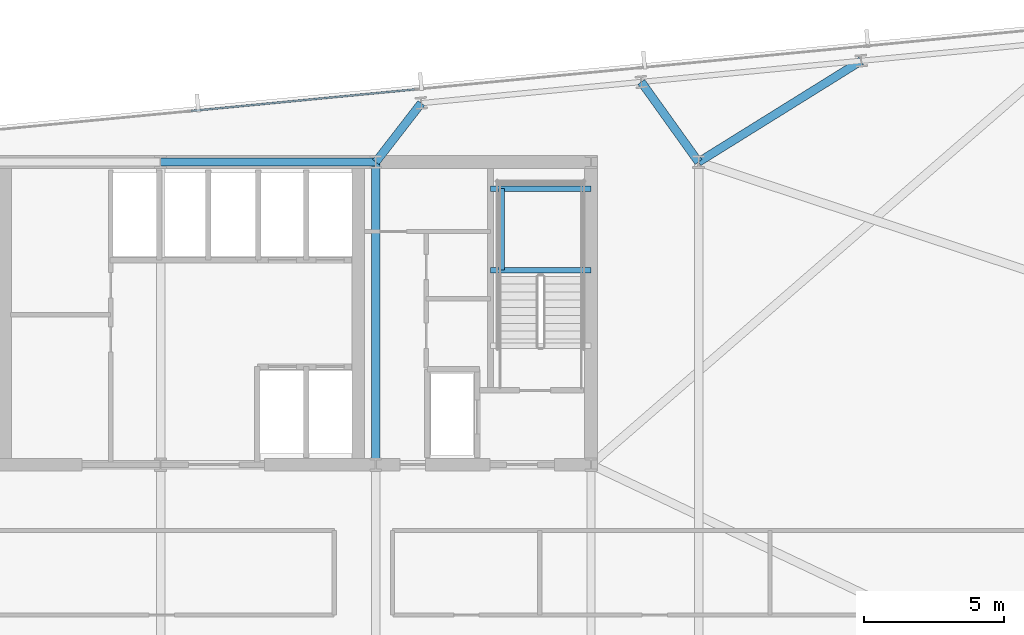
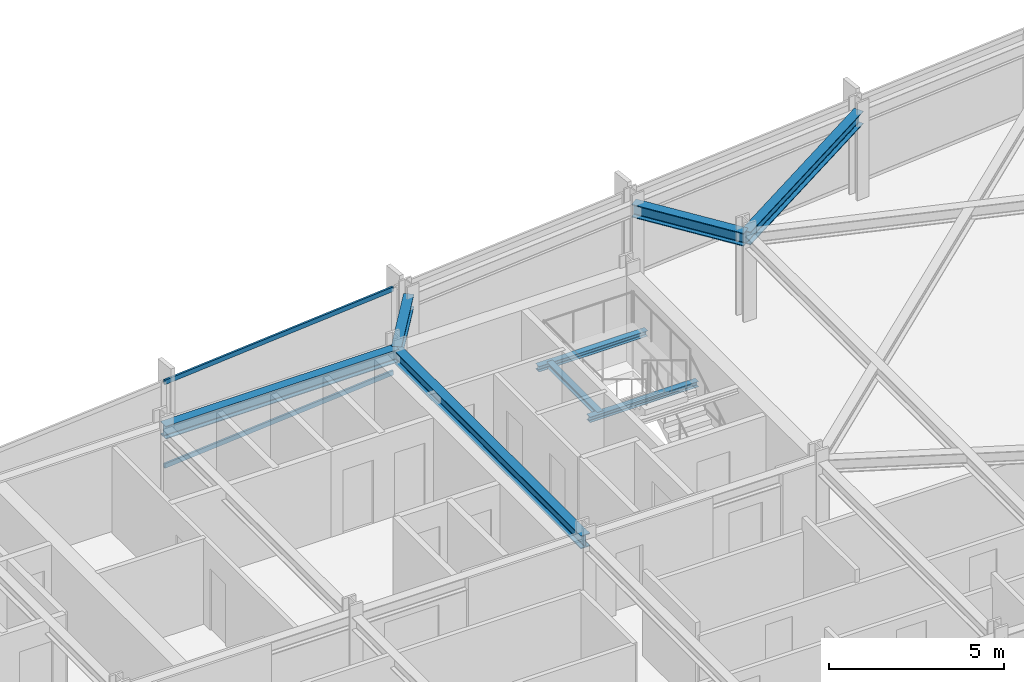
# One storey, part 20 of 32: 8 beams, 2 members, 1 element without a shape of its own.
"""IFC4 building model written with IfcOpenShell, lengths in metres."""

from ifc_helpers import new_model, si_unit, direction, frame, origin, origin_2d, place, context, subcontext, project, spatial, hollow_rectangle, i_section, extrude, material, material_profile, profile_set, type_object, element, aggregate, save


model = new_model("IFC4")

# Units and contexts
model_context = context("Model", 3, precision=1e-05, world=origin(), true_north=direction((0.0, 1.0)))
body_context = subcontext(model_context, "Body", "Model", "MODEL_VIEW")
ifc_project = project(units=[si_unit("LENGTHUNIT", "METRE"), si_unit("AREAUNIT", "SQUARE_METRE"), si_unit("VOLUMEUNIT", "CUBIC_METRE"), si_unit("PLANEANGLEUNIT", "RADIAN"), si_unit("MASSUNIT", "GRAM", prefix="KILO")], contexts=[model_context])

# Site, building, storey
site_placement = place(None, origin())
site = spatial("IfcSite", under=ifc_project, at=site_placement, CompositionType="ELEMENT")
building_placement = place(site_placement, origin())
building = spatial("IfcBuilding", under=site, at=building_placement, Name="Yelkora Congress Tower", CompositionType="ELEMENT")
storey_placement = place(building_placement, frame((0.0, 0.0, 133.89990234375)))
storey = spatial("IfcBuildingStorey", under=building, at=storey_placement, Name="L36", CompositionType="ELEMENT", Elevation=133.89990234375)

# Beams
ifc_material_1 = material(Name="Steel S355J2", Category="steel")
ifc_material_profile_1 = material_profile(ifc_material_1, i_section(OverallWidth=0.300048828125, OverallDepth=0.449951171875, WebThickness=0.013916015625, FlangeThickness=0.02587890625, FilletRadius=0.027099609375, at=origin_2d()), Name="HEB 450")
ifc_profile_set_1 = profile_set([ifc_material_profile_1], Name="Steel S355J2")
beam_type_1 = type_object("IfcBeamType", Name="BM-GIRD-HEB450", PredefinedType="BEAM", material=ifc_profile_set_1)
beam_1_placement = place(storey_placement, frame((38.39990234375, 46.199951171875, 2.755126953125), z_axis=(1.0, 0.0, 0.0), x_axis=(0.0, 1.0, 0.0)))
element("IfcBeam", 1, at=beam_1_placement, inside=storey, type_object=beam_type_1, Name="L36 Core North Girder 4", PredefinedType="BEAM", context=body_context, shape_type="SweptSolid", body=[
    extrude(i_section(OverallWidth=0.300048828125, OverallDepth=0.449951171875, WebThickness=0.013916015625, FlangeThickness=0.02587890625, FilletRadius=0.027099609375, at=origin_2d()), origin(), (0.0, 0.0, 1.0), 7.68017578125),
])
beam_2_placement = place(storey_placement, frame((46.080078125, 35.39990234375, 2.755126953125), z_axis=(0.0, 1.0, 0.0), x_axis=(-1.0, 0.0, 0.0)))
element("IfcBeam", 2, at=beam_2_placement, inside=storey, type_object=beam_type_1, Name="L36 Core Tie Girder MC-S4", PredefinedType="BEAM", context=body_context, shape_type="SweptSolid", body=[
    extrude(i_section(OverallWidth=0.300048828125, OverallDepth=0.449951171875, WebThickness=0.013916015625, FlangeThickness=0.02587890625, FilletRadius=0.027099609375, at=origin_2d()), origin(), (0.0, 0.0, 1.0), 10.800048828125),
])
beam_3_placement = place(storey_placement, frame((47.70458984375, 48.300537109375, 2.755126953125), z_axis=(-0.611761448665, -0.791042306029, 0.0), x_axis=(0.791042306029, -0.611761448665, 0.0)))
element("IfcBeam", 3, at=beam_3_placement, inside=storey, type_object=beam_type_1, Name="L36 Primary Frame Girder N05", PredefinedType="BEAM", context=body_context, shape_type="SweptSolid", body=[
    extrude(i_section(OverallWidth=0.300048828125, OverallDepth=0.449951171875, WebThickness=0.013916015625, FlangeThickness=0.02587890625, FilletRadius=0.027099609375, at=origin_2d()), origin(), (0.0, 0.0, 1.0), 2.655517578125),
])
beam_4_placement = place(storey_placement, frame((55.553955078125, 49.056396484375, 2.755126953125), z_axis=(0.582335305303, -0.81294870207, 0.0), x_axis=(0.81294870207, 0.582335305303, 0.0)))
element("IfcBeam", 4, at=beam_4_placement, inside=storey, type_object=beam_type_1, Name="L36 Primary Frame Girder N06", PredefinedType="BEAM", context=body_context, shape_type="SweptSolid", body=[
    extrude(i_section(OverallWidth=0.300048828125, OverallDepth=0.449951171875, WebThickness=0.013916015625, FlangeThickness=0.02587890625, FilletRadius=0.027099609375, at=origin_2d()), origin(), (0.0, 0.0, 1.0), 3.513671875),
])
beam_5_placement = place(storey_placement, frame((63.4033203125, 49.81201171875, 2.755126953125), z_axis=(-0.848980050527, -0.528424898929, 0.0), x_axis=(0.528424898929, -0.848980050527, 0.0)))
element("IfcBeam", 5, at=beam_5_placement, inside=storey, type_object=beam_type_1, Name="L36 Primary Frame Girder N07", PredefinedType="BEAM", context=body_context, shape_type="SweptSolid", body=[
    extrude(i_section(OverallWidth=0.300048828125, OverallDepth=0.449951171875, WebThickness=0.013916015625, FlangeThickness=0.02587890625, FilletRadius=0.027099609375, at=origin_2d()), origin(), (0.0, 0.0, 1.0), 6.83544921875),
])
ifc_material_profile_2 = material_profile(ifc_material_1, i_section(OverallWidth=0.199951171875, OverallDepth=0.18994140625, WebThickness=0.006591796875, FlangeThickness=0.010009765625, FilletRadius=0.01806640625, at=origin_2d()), Name="HEA 200")
ifc_profile_set_2 = profile_set([ifc_material_profile_2], Name="Steel S355J2")
beam_type_2 = type_object("IfcBeamType", Name="BM-LAND-HEA200", PredefinedType="BEAM", material=ifc_profile_set_2)
for number, where, z_axis, x_axis, name in (
    (6, (50.179931640625, 42.340087890625, 1.384765625), (1.0, 0.0, 0.0), (0.0, 1.0, 0.0), "ST-02 L36 Landing Header Beam 1S"),
    (7, (50.179931640625, 45.25, 1.384765625), (1.0, 0.0, 0.0), (0.0, 1.0, 0.0), "ST-02 L36 Landing Header Beam 1N"),
):
    element("IfcBeam", number, at=place(storey_placement, frame(where, z_axis=z_axis, x_axis=x_axis)), inside=storey, type_object=beam_type_2, Name=name, PredefinedType="BEAM", context=body_context, shape_type="SweptSolid", body=[
        extrude(i_section(OverallWidth=0.199951171875, OverallDepth=0.18994140625, WebThickness=0.006591796875, FlangeThickness=0.010009765625, FilletRadius=0.01806640625, at=origin_2d()), origin(), (0.0, 0.0, 1.0), 3.580078125),
    ])
beam_6_placement = place(storey_placement, frame((50.580078125, 42.340087890625, 1.384765625), z_axis=(0.0, 1.0, 0.0), x_axis=(-1.0, 0.0, 0.0)))
element("IfcBeam", 8, at=beam_6_placement, inside=storey, type_object=beam_type_2, Name="ST-02 L36 Landing Trimmer Beam 1M", PredefinedType="BEAM", context=body_context, shape_type="SweptSolid", body=[
    extrude(i_section(OverallWidth=0.199951171875, OverallDepth=0.18994140625, WebThickness=0.006591796875, FlangeThickness=0.010009765625, FilletRadius=0.01806640625, at=origin_2d()), origin(), (0.0, 0.0, 1.0), 2.909912109375),
])

# Curtain wall, members
ifc_material_2 = material(Name="Anodised aluminium and insulated glass", Category="aluminium")
curtain_wall_type = type_object("IfcCurtainWallType", Name="CW-SYS-B2", PredefinedType="NOTDEFINED", material=ifc_material_2)
curtain_wall_placement = place(storey_placement, origin())
curtain_wall = element("IfcCurtainWall", 9, at=curtain_wall_placement, inside=storey, type_object=curtain_wall_type, Name="L36 Unitised Curtain Wall 10 (3)", PredefinedType="NOTDEFINED")
ifc_material_3 = material(Name="Anodised aluminium 6063-T6", Category="aluminium")
ifc_material_profile_3 = material_profile(ifc_material_3, hollow_rectangle(XDim=0.06494140625, YDim=0.159912109375, WallThickness=0.00390625, at=origin_2d()), Name="ALU 65x160x4")
ifc_profile_set_3 = profile_set([ifc_material_profile_3], Name="Anodised aluminium 6063-T6")
member_type = type_object("IfcMemberType", Name="MEM-TR-B2", PredefinedType="USERDEFINED", material=ifc_profile_set_3)
member_1_placement = place(storey_placement, frame((39.48681640625, 48.021728515625, 0.03271484375), z_axis=(0.995397513894, 0.095832089266, 0.0), x_axis=(-0.095832089266, 0.995397513894, 0.0)))
member_1 = element("IfcMember", 10, at=member_1_placement, type_object=member_type, Name="CW-B2 transom 3.1", ObjectType="TRANSOM", PredefinedType="USERDEFINED", context=body_context, shape_type="SweptSolid", body=[
    extrude(hollow_rectangle(XDim=0.06494140625, YDim=0.159912109375, WallThickness=0.00390625, at=origin_2d()), origin(), (0.0, 0.0, 1.0), 8.007080078125),
])
member_2_placement = place(storey_placement, frame((39.48681640625, 48.021728515625, 2.947509765625), z_axis=(0.995397513894, 0.095832089266, 0.0), x_axis=(-0.095832089266, 0.995397513894, 0.0)))
member_2 = element("IfcMember", 11, at=member_2_placement, type_object=member_type, Name="CW-B2 transom 3.2", ObjectType="TRANSOM", PredefinedType="USERDEFINED", context=body_context, shape_type="SweptSolid", body=[
    extrude(hollow_rectangle(XDim=0.06494140625, YDim=0.159912109375, WallThickness=0.00390625, at=origin_2d()), origin(), (0.0, 0.0, 1.0), 8.007080078125),
])
aggregate(curtain_wall, [member_1, member_2])

save(model, "model.ifc")
